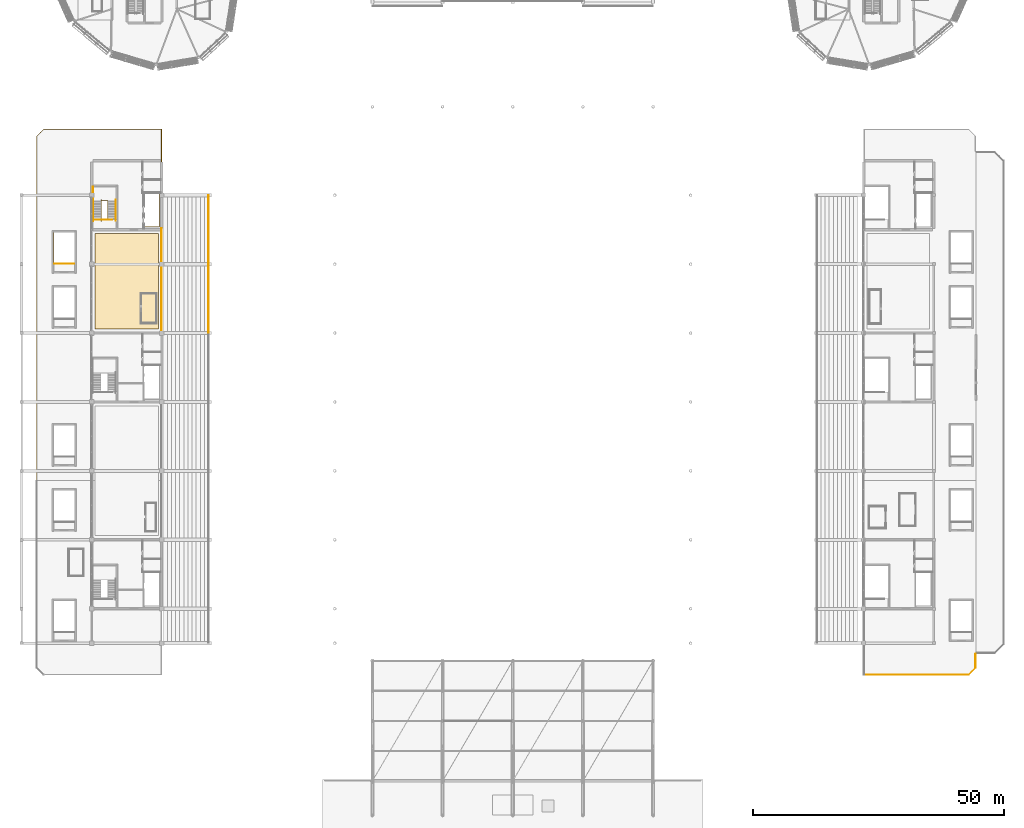
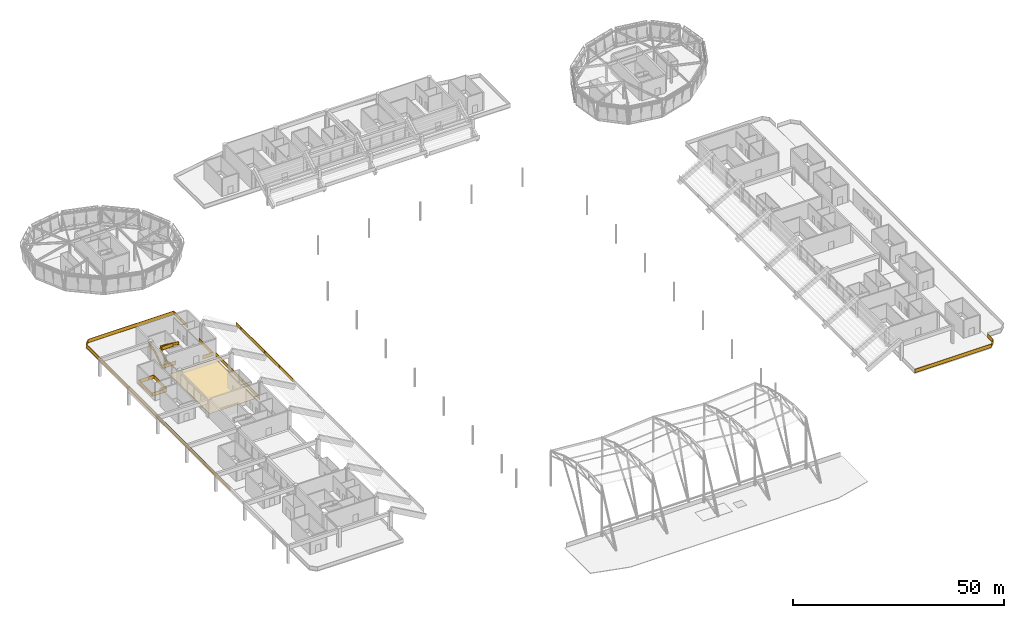
# One storey, part 82 of 90: 12 railings, 1 covering.
"""IFC4 building model written with IfcOpenShell, lengths in metres."""

from ifc_helpers import new_model, si_unit, direction, frame, origin, origin_2d, place, context, subcontext, project, spatial, polyline, rectangle, outline, extrude, material, layer, layer_set, type_object, element, save


model = new_model("IFC4")

# Units and contexts
model_context = context("Model", 3, precision=1e-05, world=origin(), true_north=direction((0.0, 1.0)))
body_context = subcontext(model_context, "Body", "Model", "MODEL_VIEW")
ifc_project = project(units=[si_unit("LENGTHUNIT", "METRE"), si_unit("AREAUNIT", "SQUARE_METRE"), si_unit("VOLUMEUNIT", "CUBIC_METRE"), si_unit("PLANEANGLEUNIT", "RADIAN"), si_unit("MASSUNIT", "GRAM", prefix="KILO")], contexts=[model_context])

# Site, building, storey
site_placement = place(None, origin())
site = spatial("IfcSite", under=ifc_project, at=site_placement, CompositionType="ELEMENT")
building_placement = place(site_placement, origin())
building = spatial("IfcBuilding", under=site, at=building_placement, Name="Linyun Crest Stadium", CompositionType="ELEMENT")
storey_placement = place(building_placement, frame((0.0, 0.0, 21.0)))
storey = spatial("IfcBuildingStorey", under=building, at=storey_placement, Name="L05", CompositionType="ELEMENT", Elevation=21.0)

# Covering
ifc_material_1 = material(Name="Terrazzo concourse and hospitality floor finish")
ifc_layer = layer(ifc_material_1, 0.02197265625)
ifc_layer_set = layer_set([ifc_layer], Name="Terrazzo concourse and hospitality floor finish")
covering_type = type_object("IfcCoveringType", Name="FLR02", PredefinedType="FLOORING", material=ifc_layer_set)
covering_placement = place(storey_placement, origin())
element("IfcCovering", 1, at=covering_placement, inside=storey, type_object=covering_type, Name="Terrazzo flooring FLR02 50", PredefinedType="FLOORING", context=body_context, shape_type="SweptSolid", body=[
    extrude(outline(polyline([(-83.300048828125, 16.699951171875), (-70.699951171875, 16.699951171875), (-70.699951171875, 35.699951171875), (-83.300048828125, 35.699951171875), (-83.300048828125, 16.699951171875)])), origin(), (0.0, 0.0, 1.0), 0.02197265625),
])

# Railings
ifc_material_2 = material(Name="Galvanized and powder-coated steel bowl safety barrier", Category="steel")
railing_type_1 = type_object("IfcRailingType", Name="GR02", PredefinedType="GUARDRAIL", material=ifc_material_2)
for number, where, name in (
    (2, (-60.699951171875, 15.955078125, 1.550048828125), "Bowl front safety guard GR02 44"),
    (3, (-60.699951171875, 29.705078125, 1.550048828125), "Bowl front safety guard GR02 52"),
):
    element("IfcRailing", number, at=place(storey_placement, frame(where)), inside=storey, type_object=railing_type_1, Name=name, PredefinedType="GUARDRAIL", context=body_context, shape_type="SweptSolid", body=[
        extrude(rectangle(XDim=0.06005859375, YDim=0.06005859375, at=origin_2d()), frame((0.0, 0.0, 1.090087890625), z_axis=(0.0, 1.0, 0.0), x_axis=(-1.0, 0.0, 0.0)), (0.0, 0.0, 1.0), 13.58984375),
        extrude(rectangle(XDim=0.030029296875, YDim=1.0, at=origin_2d()), frame((0.0, 0.0, 0.56005859375), z_axis=(0.0, 1.0, 0.0), x_axis=(-1.0, 0.0, 0.0)), (0.0, 0.0, 1.0), 13.58984375),
        extrude(rectangle(XDim=0.06005859375, YDim=0.06005859375, at=origin_2d()), frame((0.0, 0.0, 0.030029296875), z_axis=(0.0, 1.0, 0.0), x_axis=(-1.0, 0.0, 0.0)), (0.0, 0.0, 1.0), 13.58984375),
        extrude(rectangle(XDim=0.050048828125, YDim=0.050048828125, at=origin_2d()), origin(), (0.0, 0.0, 1.0), 1.1201171875),
        extrude(rectangle(XDim=0.050048828125, YDim=0.050048828125, at=origin_2d()), frame((0.0, 2.264892578125, 0.0)), (0.0, 0.0, 1.0), 1.1201171875),
        extrude(rectangle(XDim=0.050048828125, YDim=0.050048828125, at=origin_2d()), frame((0.0, 4.530029296875, 0.0)), (0.0, 0.0, 1.0), 1.1201171875),
        extrude(rectangle(XDim=0.050048828125, YDim=0.050048828125, at=origin_2d()), frame((0.0, 6.794921875, 0.0)), (0.0, 0.0, 1.0), 1.1201171875),
        extrude(rectangle(XDim=0.050048828125, YDim=0.050048828125, at=origin_2d()), frame((0.0, 9.059814453125, 0.0)), (0.0, 0.0, 1.0), 1.1201171875),
        extrude(rectangle(XDim=0.050048828125, YDim=0.050048828125, at=origin_2d()), frame((0.0, 11.324951171875, 0.0)), (0.0, 0.0, 1.0), 1.1201171875),
        extrude(rectangle(XDim=0.050048828125, YDim=0.050048828125, at=origin_2d()), frame((0.0, 13.58984375, 0.0)), (0.0, 0.0, 1.0), 1.1201171875),
    ])
railing_1_placement = place(storey_placement, frame((-94.93994140625, -13.330078125, 0.0)))
element("IfcRailing", 4, at=railing_1_placement, inside=storey, type_object=railing_type_1, Name="Slab edge balustrade GR02 73", PredefinedType="GUARDRAIL", context=body_context, shape_type="SweptSolid", body=[
    extrude(rectangle(XDim=0.06005859375, YDim=0.06005859375, at=origin_2d()), frame((0.0, 0.0, 1.090087890625), z_axis=(0.0, 1.0, 0.0), x_axis=(-1.0, 0.0, 0.0)), (0.0, 0.0, 1.0), 68.489990234375),
    extrude(rectangle(XDim=0.030029296875, YDim=1.0, at=origin_2d()), frame((0.0, 0.0, 0.56005859375), z_axis=(0.0, 1.0, 0.0), x_axis=(-1.0, 0.0, 0.0)), (0.0, 0.0, 1.0), 68.489990234375),
    extrude(rectangle(XDim=0.06005859375, YDim=0.06005859375, at=origin_2d()), frame((0.0, 0.0, 0.030029296875), z_axis=(0.0, 1.0, 0.0), x_axis=(-1.0, 0.0, 0.0)), (0.0, 0.0, 1.0), 68.489990234375),
    extrude(rectangle(XDim=0.06005859375, YDim=0.06005859375, at=origin_2d()), frame((0.0, 68.489990234375, 1.090087890625), z_axis=(0.707106781187, 0.707106781187, 0.0), x_axis=(-0.707106781187, 0.707106781187, 0.0)), (0.0, 0.0, 1.0), 1.930419921875),
    extrude(rectangle(XDim=0.030029296875, YDim=1.0, at=origin_2d()), frame((0.0, 68.489990234375, 0.56005859375), z_axis=(0.707106781187, 0.707106781187, 0.0), x_axis=(-0.707106781187, 0.707106781187, 0.0)), (0.0, 0.0, 1.0), 1.930419921875),
    extrude(rectangle(XDim=0.06005859375, YDim=0.06005859375, at=origin_2d()), frame((0.0, 68.489990234375, 0.030029296875), z_axis=(0.707106781187, 0.707106781187, 0.0), x_axis=(-0.707106781187, 0.707106781187, 0.0)), (0.0, 0.0, 1.0), 1.930419921875),
    extrude(rectangle(XDim=0.06005859375, YDim=0.06005859375, at=origin_2d()), frame((1.364990234375, 69.85498046875, 1.090087890625), z_axis=(1.0, 0.0, 0.0), x_axis=(0.0, 1.0, 0.0)), (0.0, 0.0, 1.0), 23.514892578125),
    extrude(rectangle(XDim=0.030029296875, YDim=1.0, at=origin_2d()), frame((1.364990234375, 69.85498046875, 0.56005859375), z_axis=(1.0, 0.0, 0.0), x_axis=(0.0, 1.0, 0.0)), (0.0, 0.0, 1.0), 23.514892578125),
    extrude(rectangle(XDim=0.06005859375, YDim=0.06005859375, at=origin_2d()), frame((1.364990234375, 69.85498046875, 0.030029296875), z_axis=(1.0, 0.0, 0.0), x_axis=(0.0, 1.0, 0.0)), (0.0, 0.0, 1.0), 23.514892578125),
    extrude(rectangle(XDim=0.06005859375, YDim=0.06005859375, at=origin_2d()), frame((24.8798828125, 69.85498046875, 1.090087890625), z_axis=(0.0, -1.0, 0.0), x_axis=(1.0, 0.0, 0.0)), (0.0, 0.0, 1.0), 6.5),
    extrude(rectangle(XDim=0.030029296875, YDim=1.0, at=origin_2d()), frame((24.8798828125, 69.85498046875, 0.56005859375), z_axis=(0.0, -1.0, 0.0), x_axis=(1.0, 0.0, 0.0)), (0.0, 0.0, 1.0), 6.5),
    extrude(rectangle(XDim=0.06005859375, YDim=0.06005859375, at=origin_2d()), frame((24.8798828125, 69.85498046875, 0.030029296875), z_axis=(0.0, -1.0, 0.0), x_axis=(1.0, 0.0, 0.0)), (0.0, 0.0, 1.0), 6.5),
    extrude(rectangle(XDim=0.050048828125, YDim=0.050048828125, at=origin_2d()), origin(), (0.0, 0.0, 1.0), 1.1201171875),
    extrude(rectangle(XDim=0.050048828125, YDim=0.050048828125, at=origin_2d()), frame((0.0, 4.56591796875, 0.0)), (0.0, 0.0, 1.0), 1.1201171875),
    extrude(rectangle(XDim=0.050048828125, YDim=0.050048828125, at=origin_2d()), frame((0.0, 9.132080078125, 0.0)), (0.0, 0.0, 1.0), 1.1201171875),
    extrude(rectangle(XDim=0.050048828125, YDim=0.050048828125, at=origin_2d()), frame((0.0, 13.697998046875, 0.0)), (0.0, 0.0, 1.0), 1.1201171875),
    extrude(rectangle(XDim=0.050048828125, YDim=0.050048828125, at=origin_2d()), frame((0.0, 18.263916015625, 0.0)), (0.0, 0.0, 1.0), 1.1201171875),
    extrude(rectangle(XDim=0.050048828125, YDim=0.050048828125, at=origin_2d()), frame((0.0, 22.830078125, 0.0)), (0.0, 0.0, 1.0), 1.1201171875),
    extrude(rectangle(XDim=0.050048828125, YDim=0.050048828125, at=origin_2d()), frame((0.0, 27.39599609375, 0.0)), (0.0, 0.0, 1.0), 1.1201171875),
    extrude(rectangle(XDim=0.050048828125, YDim=0.050048828125, at=origin_2d()), frame((0.0, 31.9619140625, 0.0)), (0.0, 0.0, 1.0), 1.1201171875),
    extrude(rectangle(XDim=0.050048828125, YDim=0.050048828125, at=origin_2d()), frame((0.0, 36.528076171875, 0.0)), (0.0, 0.0, 1.0), 1.1201171875),
    extrude(rectangle(XDim=0.050048828125, YDim=0.050048828125, at=origin_2d()), frame((0.0, 41.093994140625, 0.0)), (0.0, 0.0, 1.0), 1.1201171875),
    extrude(rectangle(XDim=0.050048828125, YDim=0.050048828125, at=origin_2d()), frame((0.0, 45.659912109375, 0.0)), (0.0, 0.0, 1.0), 1.1201171875),
    extrude(rectangle(XDim=0.050048828125, YDim=0.050048828125, at=origin_2d()), frame((0.0, 50.22607421875, 0.0)), (0.0, 0.0, 1.0), 1.1201171875),
    extrude(rectangle(XDim=0.050048828125, YDim=0.050048828125, at=origin_2d()), frame((0.0, 54.7919921875, 0.0)), (0.0, 0.0, 1.0), 1.1201171875),
    extrude(rectangle(XDim=0.050048828125, YDim=0.050048828125, at=origin_2d()), frame((0.0, 59.35791015625, 0.0)), (0.0, 0.0, 1.0), 1.1201171875),
    extrude(rectangle(XDim=0.050048828125, YDim=0.050048828125, at=origin_2d()), frame((0.0, 63.924072265625, 0.0)), (0.0, 0.0, 1.0), 1.1201171875),
    extrude(rectangle(XDim=0.050048828125, YDim=0.050048828125, at=origin_2d()), frame((0.0, 68.489990234375, 0.0)), (0.0, 0.0, 1.0), 1.1201171875),
    extrude(rectangle(XDim=0.050048828125, YDim=0.050048828125, at=origin_2d()), frame((1.364990234375, 69.85498046875, 0.0)), (0.0, 0.0, 1.0), 1.1201171875),
    extrude(rectangle(XDim=0.050048828125, YDim=0.050048828125, at=origin_2d()), frame((6.06787109375, 69.85498046875, 0.0)), (0.0, 0.0, 1.0), 1.1201171875),
    extrude(rectangle(XDim=0.050048828125, YDim=0.050048828125, at=origin_2d()), frame((10.77099609375, 69.85498046875, 0.0)), (0.0, 0.0, 1.0), 1.1201171875),
    extrude(rectangle(XDim=0.050048828125, YDim=0.050048828125, at=origin_2d()), frame((15.473876953125, 69.85498046875, 0.0)), (0.0, 0.0, 1.0), 1.1201171875),
    extrude(rectangle(XDim=0.050048828125, YDim=0.050048828125, at=origin_2d()), frame((20.177001953125, 69.85498046875, 0.0)), (0.0, 0.0, 1.0), 1.1201171875),
    extrude(rectangle(XDim=0.050048828125, YDim=0.050048828125, at=origin_2d()), frame((24.8798828125, 69.85498046875, 0.0)), (0.0, 0.0, 1.0), 1.1201171875),
    extrude(rectangle(XDim=0.050048828125, YDim=0.050048828125, at=origin_2d()), frame((24.8798828125, 66.60498046875, 0.0)), (0.0, 0.0, 1.0), 1.1201171875),
    extrude(rectangle(XDim=0.050048828125, YDim=0.050048828125, at=origin_2d()), frame((24.8798828125, 63.35498046875, 0.0)), (0.0, 0.0, 1.0), 1.1201171875),
])
railing_2_placement = place(storey_placement, frame((-70.06005859375, 36.72509765625, 0.0)))
element("IfcRailing", 5, at=railing_2_placement, inside=storey, type_object=railing_type_1, Name="Slab edge balustrade GR02 74", PredefinedType="GUARDRAIL", context=body_context, shape_type="SweptSolid", body=[
    extrude(rectangle(XDim=0.06005859375, YDim=0.06005859375, at=origin_2d()), frame((0.0, 0.0, 1.090087890625), z_axis=(0.0, -1.0, 0.0), x_axis=(1.0, 0.0, 0.0)), (0.0, 0.0, 1.0), 21.050048828125),
    extrude(rectangle(XDim=0.030029296875, YDim=1.0, at=origin_2d()), frame((0.0, 0.0, 0.56005859375), z_axis=(0.0, -1.0, 0.0), x_axis=(1.0, 0.0, 0.0)), (0.0, 0.0, 1.0), 21.050048828125),
    extrude(rectangle(XDim=0.06005859375, YDim=0.06005859375, at=origin_2d()), frame((0.0, 0.0, 0.030029296875), z_axis=(0.0, -1.0, 0.0), x_axis=(1.0, 0.0, 0.0)), (0.0, 0.0, 1.0), 21.050048828125),
    extrude(rectangle(XDim=0.050048828125, YDim=0.050048828125, at=origin_2d()), origin(), (0.0, 0.0, 1.0), 1.1201171875),
    extrude(rectangle(XDim=0.050048828125, YDim=0.050048828125, at=origin_2d()), frame((0.0, -4.2099609375, 0.0)), (0.0, 0.0, 1.0), 1.1201171875),
    extrude(rectangle(XDim=0.050048828125, YDim=0.050048828125, at=origin_2d()), frame((0.0, -8.419921875, 0.0)), (0.0, 0.0, 1.0), 1.1201171875),
    extrude(rectangle(XDim=0.050048828125, YDim=0.050048828125, at=origin_2d()), frame((0.0, -12.630126953125, 0.0)), (0.0, 0.0, 1.0), 1.1201171875),
    extrude(rectangle(XDim=0.050048828125, YDim=0.050048828125, at=origin_2d()), frame((0.0, -16.840087890625, 0.0)), (0.0, 0.0, 1.0), 1.1201171875),
    extrude(rectangle(XDim=0.050048828125, YDim=0.050048828125, at=origin_2d()), frame((0.0, -21.050048828125, 0.0)), (0.0, 0.0, 1.0), 1.1201171875),
])
railing_3_placement = place(storey_placement, frame((-73.419921875, 37.090087890625, 0.0)))
element("IfcRailing", 6, at=railing_3_placement, inside=storey, type_object=railing_type_1, Name="Slab edge balustrade GR02 77", PredefinedType="GUARDRAIL", context=body_context, shape_type="SweptSolid", body=[
    extrude(rectangle(XDim=0.06005859375, YDim=0.06005859375, at=origin_2d()), frame((0.0, 0.0, 1.090087890625), z_axis=(1.0, 0.0, 0.0), x_axis=(0.0, 1.0, 0.0)), (0.0, 0.0, 1.0), 2.8798828125),
    extrude(rectangle(XDim=0.030029296875, YDim=1.0, at=origin_2d()), frame((0.0, 0.0, 0.56005859375), z_axis=(1.0, 0.0, 0.0), x_axis=(0.0, 1.0, 0.0)), (0.0, 0.0, 1.0), 2.8798828125),
    extrude(rectangle(XDim=0.06005859375, YDim=0.06005859375, at=origin_2d()), frame((0.0, 0.0, 0.030029296875), z_axis=(1.0, 0.0, 0.0), x_axis=(0.0, 1.0, 0.0)), (0.0, 0.0, 1.0), 2.8798828125),
    extrude(rectangle(XDim=0.06005859375, YDim=0.06005859375, at=origin_2d()), frame((2.8798828125, 0.0, 1.090087890625), z_axis=(0.0, 1.0, 0.0), x_axis=(-1.0, 0.0, 0.0)), (0.0, 0.0, 1.0), 6.5498046875),
    extrude(rectangle(XDim=0.030029296875, YDim=1.0, at=origin_2d()), frame((2.8798828125, 0.0, 0.56005859375), z_axis=(0.0, 1.0, 0.0), x_axis=(-1.0, 0.0, 0.0)), (0.0, 0.0, 1.0), 6.5498046875),
    extrude(rectangle(XDim=0.06005859375, YDim=0.06005859375, at=origin_2d()), frame((2.8798828125, 0.0, 0.030029296875), z_axis=(0.0, 1.0, 0.0), x_axis=(-1.0, 0.0, 0.0)), (0.0, 0.0, 1.0), 6.5498046875),
    extrude(rectangle(XDim=0.050048828125, YDim=0.050048828125, at=origin_2d()), origin(), (0.0, 0.0, 1.0), 1.1201171875),
    extrude(rectangle(XDim=0.050048828125, YDim=0.050048828125, at=origin_2d()), frame((2.8798828125, 0.0, 0.0)), (0.0, 0.0, 1.0), 1.1201171875),
    extrude(rectangle(XDim=0.050048828125, YDim=0.050048828125, at=origin_2d()), frame((2.8798828125, 3.27490234375, 0.0)), (0.0, 0.0, 1.0), 1.1201171875),
    extrude(rectangle(XDim=0.050048828125, YDim=0.050048828125, at=origin_2d()), frame((2.8798828125, 6.5498046875, 0.0)), (0.0, 0.0, 1.0), 1.1201171875),
])
railing_4_placement = place(storey_placement, frame((-83.635009765625, 38.4599609375, 0.0)))
element("IfcRailing", 7, at=railing_4_placement, inside=storey, type_object=railing_type_1, Name="Slab edge balustrade GR02 79", PredefinedType="GUARDRAIL", context=body_context, shape_type="SweptSolid", body=[
    extrude(rectangle(XDim=0.06005859375, YDim=0.06005859375, at=origin_2d()), frame((0.0, 0.0, 1.090087890625), z_axis=(1.0, 0.0, 0.0), x_axis=(0.0, 1.0, 0.0)), (0.0, 0.0, 1.0), 3.735107421875),
    extrude(rectangle(XDim=0.030029296875, YDim=1.0, at=origin_2d()), frame((0.0, 0.0, 0.56005859375), z_axis=(1.0, 0.0, 0.0), x_axis=(0.0, 1.0, 0.0)), (0.0, 0.0, 1.0), 3.735107421875),
    extrude(rectangle(XDim=0.06005859375, YDim=0.06005859375, at=origin_2d()), frame((0.0, 0.0, 0.030029296875), z_axis=(1.0, 0.0, 0.0), x_axis=(0.0, 1.0, 0.0)), (0.0, 0.0, 1.0), 3.735107421875),
    extrude(rectangle(XDim=0.050048828125, YDim=0.050048828125, at=origin_2d()), origin(), (0.0, 0.0, 1.0), 1.1201171875),
    extrude(rectangle(XDim=0.050048828125, YDim=0.050048828125, at=origin_2d()), frame((3.735107421875, 0.0, 0.0)), (0.0, 0.0, 1.0), 1.1201171875),
])
railing_5_placement = place(storey_placement, frame((-91.4599609375, 29.68994140625, 0.0)))
element("IfcRailing", 8, at=railing_5_placement, inside=storey, type_object=railing_type_1, Name="Slab edge balustrade GR02 82", PredefinedType="GUARDRAIL", context=body_context, shape_type="SweptSolid", body=[
    extrude(rectangle(XDim=0.06005859375, YDim=0.06005859375, at=origin_2d()), frame((0.0, 0.0, 1.090087890625), z_axis=(1.0, 0.0, 0.0), x_axis=(0.0, 1.0, 0.0)), (0.0, 0.0, 1.0), 3.919921875),
    extrude(rectangle(XDim=0.030029296875, YDim=1.0, at=origin_2d()), frame((0.0, 0.0, 0.56005859375), z_axis=(1.0, 0.0, 0.0), x_axis=(0.0, 1.0, 0.0)), (0.0, 0.0, 1.0), 3.919921875),
    extrude(rectangle(XDim=0.06005859375, YDim=0.06005859375, at=origin_2d()), frame((0.0, 0.0, 0.030029296875), z_axis=(1.0, 0.0, 0.0), x_axis=(0.0, 1.0, 0.0)), (0.0, 0.0, 1.0), 3.919921875),
    extrude(rectangle(XDim=0.050048828125, YDim=0.050048828125, at=origin_2d()), origin(), (0.0, 0.0, 1.0), 1.1201171875),
    extrude(rectangle(XDim=0.050048828125, YDim=0.050048828125, at=origin_2d()), frame((3.919921875, 0.0, 0.0)), (0.0, 0.0, 1.0), 1.1201171875),
])
railing_6_placement = place(storey_placement, frame((92.340087890625, -48.160888671875, 0.0)))
element("IfcRailing", 9, at=railing_6_placement, inside=storey, type_object=railing_type_1, Name="Slab edge balustrade GR02 171", PredefinedType="GUARDRAIL", context=body_context, shape_type="SweptSolid", body=[
    extrude(rectangle(XDim=0.06005859375, YDim=0.06005859375, at=origin_2d()), frame((0.0, 0.0, 1.090087890625), z_axis=(0.0, -1.0, 0.0), x_axis=(1.0, 0.0, 0.0)), (0.0, 0.0, 1.0), 2.7490234375),
    extrude(rectangle(XDim=0.030029296875, YDim=1.0, at=origin_2d()), frame((0.0, 0.0, 0.56005859375), z_axis=(0.0, -1.0, 0.0), x_axis=(1.0, 0.0, 0.0)), (0.0, 0.0, 1.0), 2.7490234375),
    extrude(rectangle(XDim=0.06005859375, YDim=0.06005859375, at=origin_2d()), frame((0.0, 0.0, 0.030029296875), z_axis=(0.0, -1.0, 0.0), x_axis=(1.0, 0.0, 0.0)), (0.0, 0.0, 1.0), 2.7490234375),
    extrude(rectangle(XDim=0.06005859375, YDim=0.06005859375, at=origin_2d()), frame((0.0, -2.7490234375, 1.090087890625), z_axis=(-0.707106781187, -0.707106781187, 0.0), x_axis=(0.707106781187, -0.707106781187, 0.0)), (0.0, 0.0, 1.0), 1.930419921875),
    extrude(rectangle(XDim=0.030029296875, YDim=1.0, at=origin_2d()), frame((0.0, -2.7490234375, 0.56005859375), z_axis=(-0.707106781187, -0.707106781187, 0.0), x_axis=(0.707106781187, -0.707106781187, 0.0)), (0.0, 0.0, 1.0), 1.930419921875),
    extrude(rectangle(XDim=0.06005859375, YDim=0.06005859375, at=origin_2d()), frame((0.0, -2.7490234375, 0.030029296875), z_axis=(-0.707106781187, -0.707106781187, 0.0), x_axis=(0.707106781187, -0.707106781187, 0.0)), (0.0, 0.0, 1.0), 1.930419921875),
    extrude(rectangle(XDim=0.06005859375, YDim=0.06005859375, at=origin_2d()), frame((-1.364990234375, -4.114013671875, 1.090087890625), z_axis=(-1.0, 0.0, 0.0), x_axis=(0.0, -1.0, 0.0)), (0.0, 0.0, 1.0), 20.9150390625),
    extrude(rectangle(XDim=0.030029296875, YDim=1.0, at=origin_2d()), frame((-1.364990234375, -4.114013671875, 0.56005859375), z_axis=(-1.0, 0.0, 0.0), x_axis=(0.0, -1.0, 0.0)), (0.0, 0.0, 1.0), 20.9150390625),
    extrude(rectangle(XDim=0.06005859375, YDim=0.06005859375, at=origin_2d()), frame((-1.364990234375, -4.114013671875, 0.030029296875), z_axis=(-1.0, 0.0, 0.0), x_axis=(0.0, -1.0, 0.0)), (0.0, 0.0, 1.0), 20.9150390625),
    extrude(rectangle(XDim=0.050048828125, YDim=0.050048828125, at=origin_2d()), origin(), (0.0, 0.0, 1.0), 1.1201171875),
    extrude(rectangle(XDim=0.050048828125, YDim=0.050048828125, at=origin_2d()), frame((0.0, -2.7490234375, 0.0)), (0.0, 0.0, 1.0), 1.1201171875),
    extrude(rectangle(XDim=0.050048828125, YDim=0.050048828125, at=origin_2d()), frame((-1.364990234375, -4.114013671875, 0.0)), (0.0, 0.0, 1.0), 1.1201171875),
    extrude(rectangle(XDim=0.050048828125, YDim=0.050048828125, at=origin_2d()), frame((-5.548095703125, -4.114013671875, 0.0)), (0.0, 0.0, 1.0), 1.1201171875),
    extrude(rectangle(XDim=0.050048828125, YDim=0.050048828125, at=origin_2d()), frame((-9.73095703125, -4.114013671875, 0.0)), (0.0, 0.0, 1.0), 1.1201171875),
    extrude(rectangle(XDim=0.050048828125, YDim=0.050048828125, at=origin_2d()), frame((-13.9140625, -4.114013671875, 0.0)), (0.0, 0.0, 1.0), 1.1201171875),
    extrude(rectangle(XDim=0.050048828125, YDim=0.050048828125, at=origin_2d()), frame((-18.096923828125, -4.114013671875, 0.0)), (0.0, 0.0, 1.0), 1.1201171875),
    extrude(rectangle(XDim=0.050048828125, YDim=0.050048828125, at=origin_2d()), frame((-22.280029296875, -4.114013671875, 0.0)), (0.0, 0.0, 1.0), 1.1201171875),
])
ifc_material_3 = material(Name="Painted steel stairwell safety guard", Category="steel")
railing_type_2 = type_object("IfcRailingType", Name="GR03", PredefinedType="GUARDRAIL", material=ifc_material_3)
railing_7_placement = place(storey_placement, frame((-83.7451171875, 38.489990234375, 0.0)))
element("IfcRailing", 10, at=railing_7_placement, inside=storey, type_object=railing_type_2, Name="STR-03-L05 outer guard", PredefinedType="GUARDRAIL", context=body_context, shape_type="SweptSolid", body=[
    extrude(rectangle(XDim=0.06005859375, YDim=0.06005859375, at=origin_2d()), frame((0.0, 0.0, 1.090087890625), z_axis=(0.0, 0.811539352079, 0.584297766578), x_axis=(-1.0, 0.0, 0.0)), (0.0, 0.0, 1.0), 4.620849609375),
    extrude(rectangle(XDim=0.030029296875, YDim=1.0, at=origin_2d()), frame((0.0, 0.0, 0.56005859375), z_axis=(0.0, 0.811539352079, 0.584297766578), x_axis=(-1.0, 0.0, 0.0)), (0.0, 0.0, 1.0), 4.620849609375),
    extrude(rectangle(XDim=0.06005859375, YDim=0.06005859375, at=origin_2d()), frame((0.0, 0.0, 0.030029296875), z_axis=(0.0, 0.811539352079, 0.584297766578), x_axis=(-1.0, 0.0, 0.0)), (0.0, 0.0, 1.0), 4.620849609375),
    extrude(rectangle(XDim=0.06005859375, YDim=0.06005859375, at=origin_2d()), frame((0.0, 3.75, 3.7900390625), z_axis=(0.0, 1.0, 0.0), x_axis=(-1.0, 0.0, 0.0)), (0.0, 0.0, 1.0), 2.830078125),
    extrude(rectangle(XDim=0.030029296875, YDim=1.0, at=origin_2d()), frame((0.0, 3.75, 3.260009765625), z_axis=(0.0, 1.0, 0.0), x_axis=(-1.0, 0.0, 0.0)), (0.0, 0.0, 1.0), 2.830078125),
    extrude(rectangle(XDim=0.06005859375, YDim=0.06005859375, at=origin_2d()), frame((0.0, 3.75, 2.72998046875), z_axis=(0.0, 1.0, 0.0), x_axis=(-1.0, 0.0, 0.0)), (0.0, 0.0, 1.0), 2.830078125),
    extrude(rectangle(XDim=0.050048828125, YDim=0.050048828125, at=origin_2d()), origin(), (0.0, 0.0, 1.0), 1.1201171875),
    extrude(rectangle(XDim=0.050048828125, YDim=0.050048828125, at=origin_2d()), frame((0.0, 1.25, 0.89990234375)), (0.0, 0.0, 1.0), 1.1201171875),
    extrude(rectangle(XDim=0.050048828125, YDim=0.050048828125, at=origin_2d()), frame((0.0, 2.5, 1.800048828125)), (0.0, 0.0, 1.0), 1.1201171875),
    extrude(rectangle(XDim=0.050048828125, YDim=0.050048828125, at=origin_2d()), frame((0.0, 3.75, 2.699951171875)), (0.0, 0.0, 1.0), 1.1201171875),
    extrude(rectangle(XDim=0.050048828125, YDim=0.050048828125, at=origin_2d()), frame((0.0, 5.1650390625, 2.699951171875)), (0.0, 0.0, 1.0), 1.1201171875),
    extrude(rectangle(XDim=0.050048828125, YDim=0.050048828125, at=origin_2d()), frame((0.0, 6.580078125, 2.699951171875)), (0.0, 0.0, 1.0), 1.1201171875),
])
railing_8_placement = place(storey_placement, frame((-82.10498046875, 38.469970703125, 0.0)))
element("IfcRailing", 11, at=railing_8_placement, inside=storey, type_object=railing_type_2, Name="STR-03-L05 inner well guard", PredefinedType="GUARDRAIL", context=body_context, shape_type="SweptSolid", body=[
    extrude(rectangle(XDim=0.06005859375, YDim=0.06005859375, at=origin_2d()), frame((0.0, 0.0, 1.090087890625), z_axis=(0.0, 0.813010693788, 0.582248754216), x_axis=(-1.0, 0.0, 0.0)), (0.0, 0.0, 1.0), 4.63720703125),
    extrude(rectangle(XDim=0.030029296875, YDim=1.0, at=origin_2d()), frame((0.0, 0.0, 0.56005859375), z_axis=(0.0, 0.813010693788, 0.582248754216), x_axis=(-1.0, 0.0, 0.0)), (0.0, 0.0, 1.0), 4.63720703125),
    extrude(rectangle(XDim=0.06005859375, YDim=0.06005859375, at=origin_2d()), frame((0.0, 0.0, 0.030029296875), z_axis=(0.0, 0.813010693788, 0.582248754216), x_axis=(-1.0, 0.0, 0.0)), (0.0, 0.0, 1.0), 4.63720703125),
    extrude(rectangle(XDim=0.06005859375, YDim=0.06005859375, at=origin_2d()), frame((0.0, 3.77001953125, 3.7900390625), z_axis=(1.0, 0.0, 0.0), x_axis=(0.0, 1.0, 0.0)), (0.0, 0.0, 1.0), 1.3349609375),
    extrude(rectangle(XDim=0.030029296875, YDim=1.0, at=origin_2d()), frame((0.0, 3.77001953125, 3.260009765625), z_axis=(1.0, 0.0, 0.0), x_axis=(0.0, 1.0, 0.0)), (0.0, 0.0, 1.0), 1.3349609375),
    extrude(rectangle(XDim=0.06005859375, YDim=0.06005859375, at=origin_2d()), frame((0.0, 3.77001953125, 2.72998046875), z_axis=(1.0, 0.0, 0.0), x_axis=(0.0, 1.0, 0.0)), (0.0, 0.0, 1.0), 1.3349609375),
    extrude(rectangle(XDim=0.06005859375, YDim=0.06005859375, at=origin_2d()), frame((1.3349609375, 3.77001953125, 3.7900390625), z_axis=(0.0, -0.813010693788, 0.582248754216), x_axis=(1.0, 0.0, 0.0)), (0.0, 0.0, 1.0), 4.63720703125),
    extrude(rectangle(XDim=0.030029296875, YDim=1.0, at=origin_2d()), frame((1.3349609375, 3.77001953125, 3.260009765625), z_axis=(0.0, -0.813010693788, 0.582248754216), x_axis=(1.0, 0.0, 0.0)), (0.0, 0.0, 1.0), 4.63720703125),
    extrude(rectangle(XDim=0.06005859375, YDim=0.06005859375, at=origin_2d()), frame((1.3349609375, 3.77001953125, 2.72998046875), z_axis=(0.0, -0.813010693788, 0.582248754216), x_axis=(1.0, 0.0, 0.0)), (0.0, 0.0, 1.0), 4.63720703125),
    extrude(rectangle(XDim=0.06005859375, YDim=0.06005859375, at=origin_2d()), frame((1.3349609375, 0.0, 6.489990234375), z_axis=(-1.0, 0.0, 0.0), x_axis=(0.0, -1.0, 0.0)), (0.0, 0.0, 1.0), 2.98486328125),
    extrude(rectangle(XDim=0.030029296875, YDim=1.0, at=origin_2d()), frame((1.3349609375, 0.0, 5.9599609375), z_axis=(-1.0, 0.0, 0.0), x_axis=(0.0, -1.0, 0.0)), (0.0, 0.0, 1.0), 2.98486328125),
    extrude(rectangle(XDim=0.06005859375, YDim=0.06005859375, at=origin_2d()), frame((1.3349609375, 0.0, 5.429931640625), z_axis=(-1.0, 0.0, 0.0), x_axis=(0.0, -1.0, 0.0)), (0.0, 0.0, 1.0), 2.98486328125),
    extrude(rectangle(XDim=0.050048828125, YDim=0.050048828125, at=origin_2d()), origin(), (0.0, 0.0, 1.0), 1.1201171875),
    extrude(rectangle(XDim=0.050048828125, YDim=0.050048828125, at=origin_2d()), frame((0.0, 1.256591796875, 0.89990234375)), (0.0, 0.0, 1.0), 1.1201171875),
    extrude(rectangle(XDim=0.050048828125, YDim=0.050048828125, at=origin_2d()), frame((0.0, 2.513427734375, 1.800048828125)), (0.0, 0.0, 1.0), 1.1201171875),
    extrude(rectangle(XDim=0.050048828125, YDim=0.050048828125, at=origin_2d()), frame((0.0, 3.77001953125, 2.699951171875)), (0.0, 0.0, 1.0), 1.1201171875),
    extrude(rectangle(XDim=0.050048828125, YDim=0.050048828125, at=origin_2d()), frame((1.3349609375, 3.77001953125, 2.699951171875)), (0.0, 0.0, 1.0), 1.1201171875),
    extrude(rectangle(XDim=0.050048828125, YDim=0.050048828125, at=origin_2d()), frame((1.3349609375, 2.513427734375, 3.599853515625)), (0.0, 0.0, 1.0), 1.1201171875),
    extrude(rectangle(XDim=0.050048828125, YDim=0.050048828125, at=origin_2d()), frame((1.3349609375, 1.256591796875, 4.5)), (0.0, 0.0, 1.0), 1.1201171875),
    extrude(rectangle(XDim=0.050048828125, YDim=0.050048828125, at=origin_2d()), frame((1.3349609375, 0.0, 5.39990234375)), (0.0, 0.0, 1.0), 1.1201171875),
    extrude(rectangle(XDim=0.050048828125, YDim=0.050048828125, at=origin_2d()), frame((-0.157470703125, 0.0, 5.39990234375)), (0.0, 0.0, 1.0), 1.1201171875),
    extrude(rectangle(XDim=0.050048828125, YDim=0.050048828125, at=origin_2d()), frame((-1.64990234375, 0.0, 5.39990234375)), (0.0, 0.0, 1.0), 1.1201171875),
])
railing_9_placement = place(storey_placement, frame((-91.570068359375, 29.72998046875, 0.0)))
element("IfcRailing", 12, at=railing_9_placement, inside=storey, type_object=railing_type_2, Name="STR-17-L04 top well guard", PredefinedType="GUARDRAIL", context=body_context, shape_type="SweptSolid", body=[
    extrude(rectangle(XDim=0.06005859375, YDim=0.06005859375, at=origin_2d()), frame((0.0, 0.0, 1.090087890625), z_axis=(0.0, 1.0, 0.0), x_axis=(-1.0, 0.0, 0.0)), (0.0, 0.0, 1.0), 6.239990234375),
    extrude(rectangle(XDim=0.030029296875, YDim=1.0, at=origin_2d()), frame((0.0, 0.0, 0.56005859375), z_axis=(0.0, 1.0, 0.0), x_axis=(-1.0, 0.0, 0.0)), (0.0, 0.0, 1.0), 6.239990234375),
    extrude(rectangle(XDim=0.06005859375, YDim=0.06005859375, at=origin_2d()), frame((0.0, 0.0, 0.030029296875), z_axis=(0.0, 1.0, 0.0), x_axis=(-1.0, 0.0, 0.0)), (0.0, 0.0, 1.0), 6.239990234375),
    extrude(rectangle(XDim=0.06005859375, YDim=0.06005859375, at=origin_2d()), frame((0.0, 6.239990234375, 1.090087890625), z_axis=(1.0, 0.0, 0.0), x_axis=(0.0, 1.0, 0.0)), (0.0, 0.0, 1.0), 4.14013671875),
    extrude(rectangle(XDim=0.030029296875, YDim=1.0, at=origin_2d()), frame((0.0, 6.239990234375, 0.56005859375), z_axis=(1.0, 0.0, 0.0), x_axis=(0.0, 1.0, 0.0)), (0.0, 0.0, 1.0), 4.14013671875),
    extrude(rectangle(XDim=0.06005859375, YDim=0.06005859375, at=origin_2d()), frame((0.0, 6.239990234375, 0.030029296875), z_axis=(1.0, 0.0, 0.0), x_axis=(0.0, 1.0, 0.0)), (0.0, 0.0, 1.0), 4.14013671875),
    extrude(rectangle(XDim=0.06005859375, YDim=0.06005859375, at=origin_2d()), frame((4.14013671875, 6.239990234375, 1.090087890625), z_axis=(0.0, -1.0, 0.0), x_axis=(1.0, 0.0, 0.0)), (0.0, 0.0, 1.0), 6.239990234375),
    extrude(rectangle(XDim=0.030029296875, YDim=1.0, at=origin_2d()), frame((4.14013671875, 6.239990234375, 0.56005859375), z_axis=(0.0, -1.0, 0.0), x_axis=(1.0, 0.0, 0.0)), (0.0, 0.0, 1.0), 6.239990234375),
    extrude(rectangle(XDim=0.06005859375, YDim=0.06005859375, at=origin_2d()), frame((4.14013671875, 6.239990234375, 0.030029296875), z_axis=(0.0, -1.0, 0.0), x_axis=(1.0, 0.0, 0.0)), (0.0, 0.0, 1.0), 6.239990234375),
    extrude(rectangle(XDim=0.050048828125, YDim=0.050048828125, at=origin_2d()), origin(), (0.0, 0.0, 1.0), 1.1201171875),
    extrude(rectangle(XDim=0.050048828125, YDim=0.050048828125, at=origin_2d()), frame((0.0, 1.56005859375, 0.0)), (0.0, 0.0, 1.0), 1.1201171875),
    extrude(rectangle(XDim=0.050048828125, YDim=0.050048828125, at=origin_2d()), frame((0.0, 3.1201171875, 0.0)), (0.0, 0.0, 1.0), 1.1201171875),
    extrude(rectangle(XDim=0.050048828125, YDim=0.050048828125, at=origin_2d()), frame((0.0, 4.679931640625, 0.0)), (0.0, 0.0, 1.0), 1.1201171875),
    extrude(rectangle(XDim=0.050048828125, YDim=0.050048828125, at=origin_2d()), frame((0.0, 6.239990234375, 0.0)), (0.0, 0.0, 1.0), 1.1201171875),
    extrude(rectangle(XDim=0.050048828125, YDim=0.050048828125, at=origin_2d()), frame((1.380126953125, 6.239990234375, 0.0)), (0.0, 0.0, 1.0), 1.1201171875),
    extrude(rectangle(XDim=0.050048828125, YDim=0.050048828125, at=origin_2d()), frame((2.760009765625, 6.239990234375, 0.0)), (0.0, 0.0, 1.0), 1.1201171875),
    extrude(rectangle(XDim=0.050048828125, YDim=0.050048828125, at=origin_2d()), frame((4.14013671875, 6.239990234375, 0.0)), (0.0, 0.0, 1.0), 1.1201171875),
    extrude(rectangle(XDim=0.050048828125, YDim=0.050048828125, at=origin_2d()), frame((4.14013671875, 4.679931640625, 0.0)), (0.0, 0.0, 1.0), 1.1201171875),
    extrude(rectangle(XDim=0.050048828125, YDim=0.050048828125, at=origin_2d()), frame((4.14013671875, 3.1201171875, 0.0)), (0.0, 0.0, 1.0), 1.1201171875),
    extrude(rectangle(XDim=0.050048828125, YDim=0.050048828125, at=origin_2d()), frame((4.14013671875, 1.56005859375, 0.0)), (0.0, 0.0, 1.0), 1.1201171875),
    extrude(rectangle(XDim=0.050048828125, YDim=0.050048828125, at=origin_2d()), frame((4.14013671875, 0.0, 0.0)), (0.0, 0.0, 1.0), 1.1201171875),
])
ifc_material_4 = material(Name="Brushed stainless steel tubular handrail", Category="steel")
railing_type_3 = type_object("IfcRailingType", Name="HR01", PredefinedType="HANDRAIL", material=ifc_material_4)
railing_10_placement = place(storey_placement, frame((-79.179931640625, 42.239990234375, 2.699951171875)))
element("IfcRailing", 13, at=railing_10_placement, inside=storey, type_object=railing_type_3, Name="STR-03-L05 handrail", PredefinedType="HANDRAIL", context=body_context, shape_type="SweptSolid", body=[
    extrude(rectangle(XDim=0.06005859375, YDim=0.06005859375, at=origin_2d()), frame((0.0, 0.0, 0.889892578125), z_axis=(0.0, -0.811539352079, 0.584297766578), x_axis=(1.0, 0.0, 0.0)), (0.0, 0.0, 1.0), 4.620849609375),
    extrude(rectangle(XDim=0.030029296875, YDim=0.7998046875, at=origin_2d()), frame((0.0, 0.0, 0.4599609375), z_axis=(0.0, -0.811539352079, 0.584297766578), x_axis=(1.0, 0.0, 0.0)), (0.0, 0.0, 1.0), 4.620849609375),
    extrude(rectangle(XDim=0.06005859375, YDim=0.06005859375, at=origin_2d()), frame((0.0, 0.0, 0.030029296875), z_axis=(0.0, -0.811539352079, 0.584297766578), x_axis=(1.0, 0.0, 0.0)), (0.0, 0.0, 1.0), 4.620849609375),
    extrude(rectangle(XDim=0.050048828125, YDim=0.050048828125, at=origin_2d()), origin(), (0.0, 0.0, 1.0), 0.919921875),
    extrude(rectangle(XDim=0.050048828125, YDim=0.050048828125, at=origin_2d()), frame((0.0, -1.25, 0.89990234375)), (0.0, 0.0, 1.0), 0.919921875),
    extrude(rectangle(XDim=0.050048828125, YDim=0.050048828125, at=origin_2d()), frame((0.0, -2.5, 1.800048828125)), (0.0, 0.0, 1.0), 0.919921875),
    extrude(rectangle(XDim=0.050048828125, YDim=0.050048828125, at=origin_2d()), frame((0.0, -3.75, 2.699951171875)), (0.0, 0.0, 1.0), 0.919921875),
])

save(model, "model.ifc")
